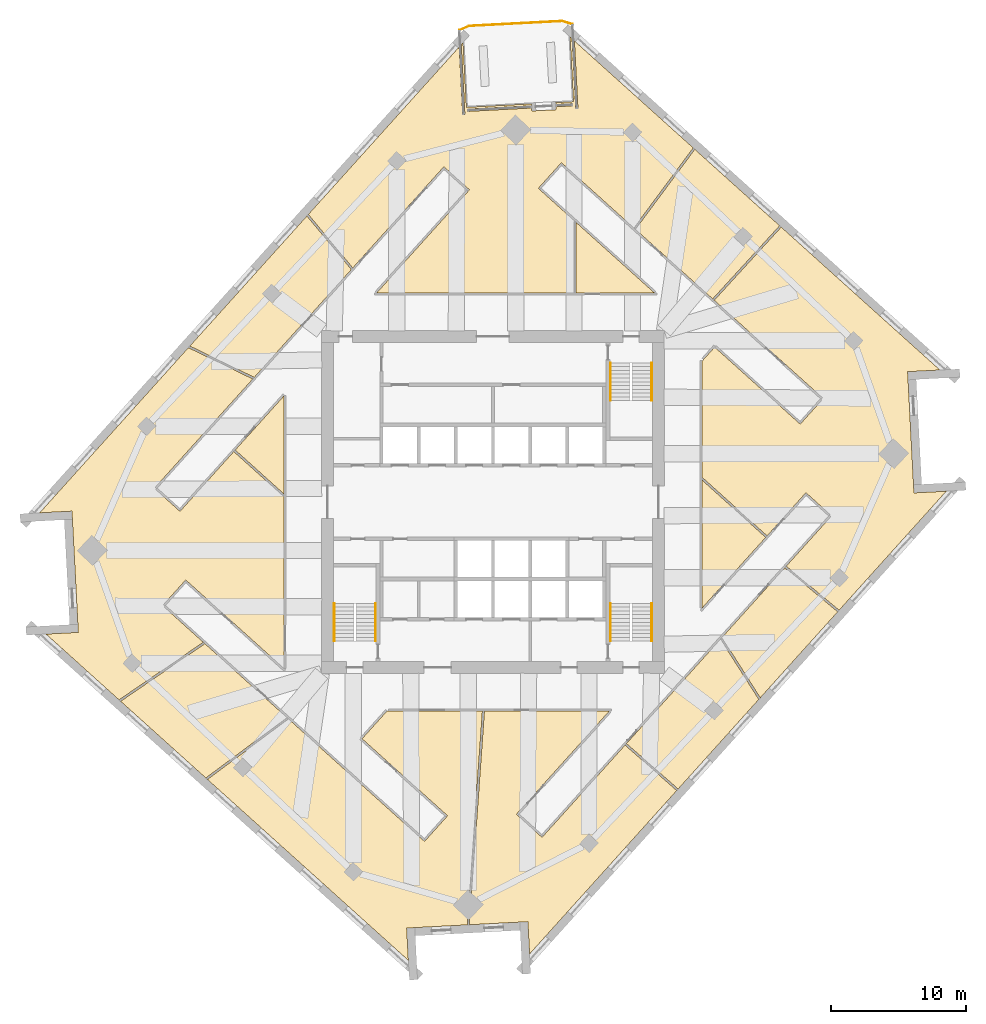
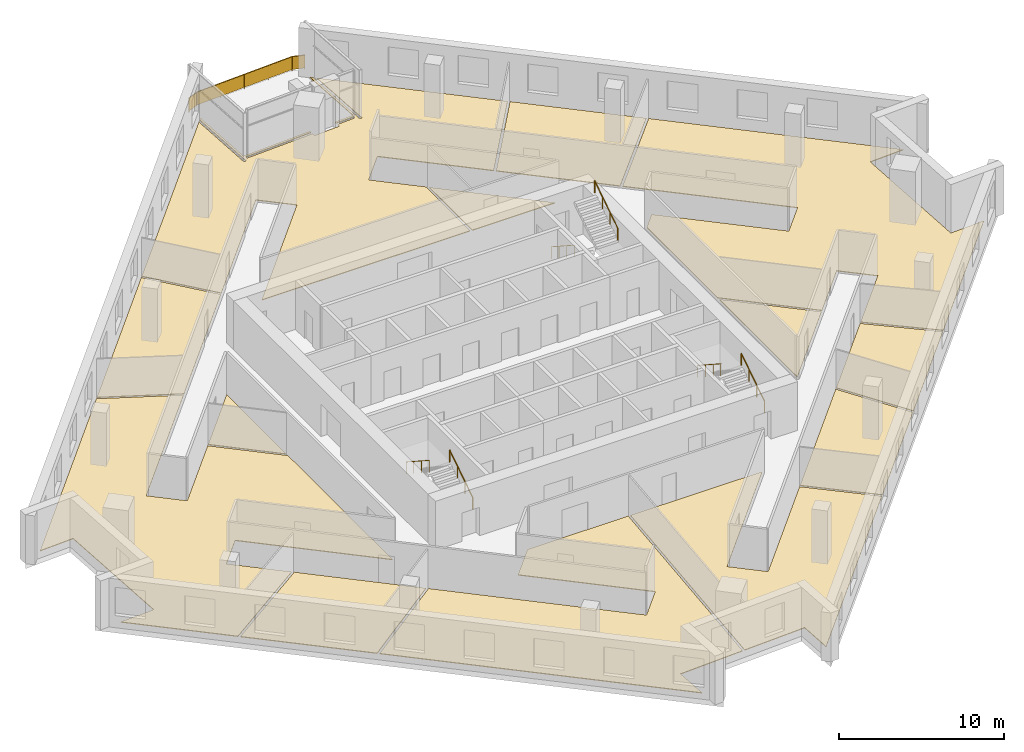
# One storey, part 11 of 12: 13 coverings, 7 railings.
"""IFC4 building model written with IfcOpenShell, lengths in metres."""

from ifc_helpers import new_model, si_unit, direction, frame, origin, origin_2d, place, context, subcontext, project, spatial, polyline, rectangle, circle, outline, extrude, material, layer, layer_set, type_object, element, save


model = new_model("IFC4")

# Units and contexts
model_context = context("Model", 3, precision=1e-05, world=origin(), true_north=direction((0.0, 1.0)))
body_context = subcontext(model_context, "Body", "Model", "MODEL_VIEW")
ifc_project = project(units=[si_unit("LENGTHUNIT", "METRE"), si_unit("AREAUNIT", "SQUARE_METRE"), si_unit("VOLUMEUNIT", "CUBIC_METRE"), si_unit("PLANEANGLEUNIT", "RADIAN"), si_unit("MASSUNIT", "GRAM", prefix="KILO")], contexts=[model_context])

# Site, building, storey
site_placement = place(None, origin())
site = spatial("IfcSite", under=ifc_project, at=site_placement, CompositionType="ELEMENT")
building_placement = place(site_placement, origin())
building = spatial("IfcBuilding", under=site, at=building_placement, Name="Dilmun Exchange Tower", CompositionType="ELEMENT")
storey_placement = place(building_placement, frame((0.0, 0.0, 221.300048828125)))
storey = spatial("IfcBuildingStorey", under=building, at=storey_placement, Name="L52", CompositionType="ELEMENT", Elevation=221.300048828125)

# Coverings
ifc_material_1 = material(Name="Carpet floor finish 50")
ifc_layer_1 = layer(ifc_material_1, 0.050048828125)
ifc_layer_set_1 = layer_set([ifc_layer_1], Name="Carpet floor finish 50")
covering_type_1 = type_object("IfcCoveringType", Name="Carpet floor finish 50", PredefinedType="FLOORING", material=ifc_layer_set_1)
covering_1_placement = place(storey_placement, origin())
element("IfcCovering", 1, at=covering_1_placement, inside=storey, type_object=covering_type_1, Name="Carpet floor finish 50 Co-working hall 1", PredefinedType="FLOORING", context=body_context, shape_type="SweptSolid", body=[
    extrude(outline(polyline([(-22.740234375, -5.768798828125), (-24.446533203125, -7.663818359375), (-21.433837890625, -10.37646484375), (-27.672607421875, -14.642578125), (-33.08251953125, -9.771484375), (-30.692626953125, -9.646240234375), (-30.6923828125, -9.646240234375), (-30.692138671875, -9.64599609375), (-30.69189453125, -9.64599609375), (-30.69189453125, -9.64599609375), (-30.691650390625, -9.64599609375), (-30.69140625, -9.645751953125), (-30.69140625, -9.645751953125), (-30.691162109375, -9.6455078125), (-30.691162109375, -9.6455078125), (-30.69091796875, -9.645263671875), (-30.69091796875, -9.64501953125), (-30.69091796875, -9.64501953125), (-30.69091796875, -9.644775390625), (-30.690673828125, -9.64453125), (-30.690673828125, -9.644287109375), (-30.690673828125, -9.64404296875), (-30.72216796875, -9.044921875), (-30.72216796875, -9.044677734375), (-30.72216796875, -9.044677734375), (-31.129150390625, -1.277587890625), (-31.129150390625, -1.277587890625), (-31.129150390625, -1.27734375), (-31.160400390625, -0.67822265625), (-31.160400390625, -0.677978515625), (-31.16064453125, -0.677734375), (-31.16064453125, -0.677490234375), (-31.16064453125, -0.677490234375), (-31.160888671875, -0.67724609375), (-31.160888671875, -0.677001953125), (-31.160888671875, -0.677001953125), (-31.1611328125, -0.6767578125), (-31.161376953125, -0.6767578125), (-31.16162109375, -0.676513671875), (-31.16162109375, -0.676513671875), (-31.161865234375, -0.676513671875), (-31.162109375, -0.676513671875), (-31.162109375, -0.67626953125), (-31.162353515625, -0.67626953125), (-31.16259765625, -0.67626953125), (-33.552490234375, -0.801513671875), (-22.541015625, 11.427734375), (-17.772216796875, 9.110107421875), (-25.058349609375, 1.01806640625), (-23.163330078125, -0.688232421875), (-19.1796875, 3.736083984375), (-15.47509765625, 0.400390625), (-15.47509765625, -12.310302734375), (-22.740234375, -5.768798828125)])), origin(), (0.0, 0.0, 1.0), 0.050048828125),
])
covering_2_placement = place(storey_placement, origin())
element("IfcCovering", 2, at=covering_2_placement, inside=storey, type_object=covering_type_1, Name="Carpet floor finish 50 Serviced office", PredefinedType="FLOORING", context=body_context, shape_type="SweptSolid", body=[
    extrude(outline(polyline([(-21.319091796875, -10.479736328125), (-15.240478515625, -15.952880859375), (-21.25, -20.42529296875), (-27.557861328125, -14.74560546875), (-21.319091796875, -10.479736328125)])), origin(), (0.0, 0.0, 1.0), 0.050048828125),
])
covering_3_placement = place(storey_placement, origin())
element("IfcCovering", 3, at=covering_3_placement, inside=storey, type_object=covering_type_1, Name="Carpet floor finish 50 Club dining room", PredefinedType="FLOORING", context=body_context, shape_type="SweptSolid", body=[
    extrude(outline(polyline([(-15.126953125, -16.055419921875), (-5.06640625, -25.11376953125), (-3.360107421875, -23.21875), (-9.68994140625, -17.519287109375), (-7.849365234375, -15.47509765625), (-0.78125, -15.47509765625), (-1.901611328125, -31.295654296875), (-5.78369140625, -31.499267578125), (-5.78369140625, -31.499267578125), (-5.783935546875, -31.499267578125), (-6.38330078125, -31.530517578125), (-6.38330078125, -31.530517578125), (-6.383544921875, -31.53076171875), (-6.3837890625, -31.53076171875), (-6.3837890625, -31.53076171875), (-6.384033203125, -31.531005859375), (-6.38427734375, -31.531005859375), (-6.384521484375, -31.531005859375), (-6.384521484375, -31.53125), (-6.384765625, -31.531494140625), (-6.384765625, -31.531494140625), (-6.385009765625, -31.53173828125), (-6.385009765625, -31.531982421875), (-6.385009765625, -31.531982421875), (-6.385009765625, -31.5322265625), (-6.385009765625, -31.532470703125), (-6.385009765625, -31.53271484375), (-6.259765625, -33.922607421875), (-21.13623046875, -20.52783203125), (-15.126953125, -16.055419921875)])), origin(), (0.0, 0.0, 1.0), 0.050048828125),
])
covering_4_placement = place(storey_placement, origin())
element("IfcCovering", 4, at=covering_4_placement, inside=storey, type_object=covering_type_1, Name="Carpet floor finish 50 Garden lounge", PredefinedType="FLOORING", context=body_context, shape_type="SweptSolid", body=[
    extrude(outline(polyline([(-1.73681640625, 23.1083984375), (-3.6318359375, 24.814697265625), (-10.3759765625, 17.32470703125), (-13.666748046875, 21.283935546875), (-2.501708984375, 33.68359375), (-2.239501953125, 28.677490234375), (-2.239501953125, 28.67724609375), (-2.239501953125, 28.677001953125), (-2.239501953125, 28.6767578125), (-2.2392578125, 28.6767578125), (-2.2392578125, 28.676513671875), (-2.239013671875, 28.67626953125), (-2.239013671875, 28.67626953125), (-2.23876953125, 28.676025390625), (-2.23876953125, 28.67578125), (-2.238525390625, 28.67578125), (-2.23828125, 28.67578125), (-2.23828125, 28.675537109375), (-2.238037109375, 28.675537109375), (-2.23779296875, 28.675537109375), (-2.237548828125, 28.675537109375), (-2.2373046875, 28.675537109375), (-2.07763671875, 28.683837890625), (-2.077392578125, 28.683837890625), (-2.0771484375, 28.683837890625), (-2.076904296875, 28.68408203125), (-2.076904296875, 28.68408203125), (-2.07666015625, 28.68408203125), (-2.076416015625, 28.684326171875), (-2.076416015625, 28.684326171875), (-2.076171875, 28.6845703125), (-2.076171875, 28.684814453125), (-2.075927734375, 28.684814453125), (-2.075927734375, 28.68505859375), (-2.07568359375, 28.685302734375), (-2.07568359375, 28.685302734375), (-2.07568359375, 28.685546875), (-2.07568359375, 28.685791015625), (-2.07568359375, 28.68603515625), (-2.3466796875, 33.856201171875), (-2.211181640625, 34.00634765625), (-1.96044921875, 29.2177734375), (2.84521484375, 29.469482421875), (2.8525390625, 29.326904296875), (-1.8779296875, 29.078857421875), (-1.878173828125, 29.078857421875), (-1.87841796875, 29.078857421875), (-1.878662109375, 29.078857421875), (-1.878662109375, 29.07861328125), (-1.87890625, 29.07861328125), (-1.879150390625, 29.07861328125), (-1.879150390625, 29.078369140625), (-1.87939453125, 29.078125), (-1.87939453125, 29.078125), (-1.879638671875, 29.077880859375), (-1.879638671875, 29.07763671875), (-1.8798828125, 29.07763671875), (-1.8798828125, 29.077392578125), (-1.8798828125, 29.0771484375), (-1.8798828125, 29.076904296875), (-1.8798828125, 29.076904296875), (-1.87158203125, 28.9169921875), (-1.87158203125, 28.916748046875), (-1.87158203125, 28.91650390625), (-1.871337890625, 28.91650390625), (-1.871337890625, 28.916259765625), (-1.87109375, 28.916015625), (-1.87109375, 28.916015625), (-1.87109375, 28.915771484375), (-1.870849609375, 28.91552734375), (-1.87060546875, 28.91552734375), (-1.87060546875, 28.915283203125), (-1.870361328125, 28.915283203125), (-1.8701171875, 28.915283203125), (-1.8701171875, 28.915283203125), (-1.869873046875, 28.9150390625), (-1.86962890625, 28.9150390625), (-1.869384765625, 28.9150390625), (2.861083984375, 29.1630859375), (2.87255859375, 28.9453125), (2.87255859375, 28.945068359375), (2.872802734375, 28.94482421875), (2.872802734375, 28.944580078125), (2.872802734375, 28.944580078125), (2.872802734375, 28.9443359375), (2.873046875, 28.944091796875), (2.873046875, 28.944091796875), (2.873291015625, 28.94384765625), (2.873291015625, 28.94384765625), (2.87353515625, 28.943603515625), (2.873779296875, 28.943603515625), (2.873779296875, 28.943603515625), (2.8740234375, 28.943603515625), (2.874267578125, 28.943359375), (2.87451171875, 28.943359375), (2.874755859375, 28.943359375), (4.672119140625, 29.03759765625), (4.67236328125, 29.03759765625), (4.672607421875, 29.03759765625), (4.6728515625, 29.03759765625), (4.673095703125, 29.037841796875), (4.673095703125, 29.037841796875), (4.67333984375, 29.0380859375), (4.67333984375, 29.0380859375), (4.673583984375, 29.038330078125), (4.673583984375, 29.038330078125), (4.673828125, 29.03857421875), (4.673828125, 29.038818359375), (4.674072265625, 29.038818359375), (4.674072265625, 29.0390625), (4.674072265625, 29.039306640625), (4.674072265625, 29.03955078125), (4.674072265625, 29.039794921875), (4.66259765625, 29.25732421875), (5.898193359375, 29.322265625), (5.898193359375, 29.322265625), (5.8984375, 29.322265625), (5.898681640625, 29.322265625), (5.89892578125, 29.322509765625), (5.89892578125, 29.322509765625), (5.899169921875, 29.322509765625), (5.8994140625, 29.32275390625), (5.8994140625, 29.322998046875), (5.899658203125, 29.322998046875), (5.899658203125, 29.3232421875), (5.89990234375, 29.323486328125), (5.89990234375, 29.323486328125), (5.89990234375, 29.32373046875), (5.89990234375, 29.323974609375), (5.89990234375, 29.32421875), (5.89990234375, 29.32421875), (5.8916015625, 29.484130859375), (5.8916015625, 29.484375), (5.8916015625, 29.484619140625), (5.8916015625, 29.484619140625), (5.891357421875, 29.48486328125), (5.891357421875, 29.485107421875), (5.89111328125, 29.485107421875), (5.89111328125, 29.4853515625), (5.890869140625, 29.485595703125), (5.890869140625, 29.485595703125), (5.890625, 29.485595703125), (5.890380859375, 29.48583984375), (5.890380859375, 29.48583984375), (5.89013671875, 29.48583984375), (5.889892578125, 29.486083984375), (5.8896484375, 29.486083984375), (5.889404296875, 29.486083984375), (4.654052734375, 29.421142578125), (4.646484375, 29.56396484375), (5.956787109375, 29.6328125), (5.7060546875, 34.421142578125), (5.856201171875, 34.285888671875), (6.127197265625, 29.115966796875), (6.127197265625, 29.11572265625), (6.127197265625, 29.115478515625), (6.127197265625, 29.115234375), (6.12744140625, 29.115234375), (6.12744140625, 29.114990234375), (6.127685546875, 29.11474609375), (6.127685546875, 29.11474609375), (6.1279296875, 29.114501953125), (6.1279296875, 29.114501953125), (6.128173828125, 29.1142578125), (6.12841796875, 29.1142578125), (6.12841796875, 29.114013671875), (6.128662109375, 29.114013671875), (6.12890625, 29.114013671875), (6.129150390625, 29.114013671875), (6.12939453125, 29.114013671875), (6.2890625, 29.122314453125), (6.289306640625, 29.122314453125), (6.28955078125, 29.122314453125), (6.289794921875, 29.12255859375), (6.289794921875, 29.12255859375), (6.2900390625, 29.122802734375), (6.290283203125, 29.122802734375), (6.290283203125, 29.122802734375), (6.29052734375, 29.123046875), (6.29052734375, 29.123291015625), (6.290771484375, 29.123291015625), (6.290771484375, 29.12353515625), (6.291015625, 29.123779296875), (6.291015625, 29.123779296875), (6.291015625, 29.1240234375), (6.291015625, 29.124267578125), (6.291015625, 29.12451171875), (6.028564453125, 34.130615234375), (14.826416015625, 26.209228515625), (10.4296875, 20.28466796875), (5.06640625, 25.11376953125), (3.360107421875, 23.21875), (6.0009765625, 20.8408203125), (6.0009765625, 15.47509765625), (-8.60986328125, 15.47509765625), (-1.73681640625, 23.1083984375)])), origin(), (0.0, 0.0, 1.0), 0.050048828125),
])
covering_5_placement = place(storey_placement, origin())
element("IfcCovering", 5, at=covering_5_placement, inside=storey, type_object=covering_type_1, Name="Carpet floor finish 50 Members library", PredefinedType="FLOORING", context=body_context, shape_type="SweptSolid", body=[
    extrude(outline(polyline([(-0.630859375, -15.47509765625), (8.60986328125, -15.47509765625), (1.73681640625, -23.1083984375), (3.6318359375, -24.814697265625), (9.7783203125, -17.98828125), (13.60546875, -21.35205078125), (2.7099609375, -33.452392578125), (2.584716796875, -31.0625), (2.584716796875, -31.0625), (2.584716796875, -31.062255859375), (2.584716796875, -31.06201171875), (2.584716796875, -31.061767578125), (2.58447265625, -31.061767578125), (2.58447265625, -31.0615234375), (2.584228515625, -31.061279296875), (2.583984375, -31.061279296875), (2.583984375, -31.06103515625), (2.583740234375, -31.06103515625), (2.58349609375, -31.060791015625), (2.58349609375, -31.060791015625), (2.583251953125, -31.060791015625), (2.5830078125, -31.060791015625), (2.5830078125, -31.060791015625), (2.582763671875, -31.060791015625), (1.9833984375, -31.092041015625), (1.9833984375, -31.092041015625), (1.9833984375, -31.092041015625), (-1.750732421875, -31.287841796875), (-0.630859375, -15.47509765625)])), origin(), (0.0, 0.0, 1.0), 0.050048828125),
])
covering_6_placement = place(storey_placement, origin())
element("IfcCovering", 6, at=covering_6_placement, inside=storey, type_object=covering_type_1, Name="Carpet floor finish 50 Meeting room 1", PredefinedType="FLOORING", context=body_context, shape_type="SweptSolid", body=[
    extrude(outline(polyline([(16.262451171875, 15.03271484375), (10.541748046875, 20.183837890625), (14.938232421875, 26.1083984375), (21.221923828125, 20.45068359375), (16.262451171875, 15.03271484375)])), origin(), (0.0, 0.0, 1.0), 0.050048828125),
])
covering_7_placement = place(storey_placement, origin())
element("IfcCovering", 7, at=covering_7_placement, inside=storey, type_object=covering_type_1, Name="Carpet floor finish 50 Meeting room 2", PredefinedType="FLOORING", context=body_context, shape_type="SweptSolid", body=[
    extrude(outline(polyline([(15.47509765625, 1.6298828125), (20.189208984375, -2.614990234375), (15.47509765625, -7.8505859375), (15.47509765625, 1.6298828125)])), origin(), (0.0, 0.0, 1.0), 0.050048828125),
])
covering_8_placement = place(storey_placement, origin())
element("IfcCovering", 8, at=covering_8_placement, inside=storey, type_object=covering_type_1, Name="Carpet floor finish 50 Meeting room 3", PredefinedType="FLOORING", context=body_context, shape_type="SweptSolid", body=[
    extrude(outline(polyline([(16.947021484375, -10.026611328125), (21.603515625, -4.855224609375), (25.517822265625, -8.12158203125), (19.783203125, -14.49072265625), (16.947021484375, -10.026611328125)])), origin(), (0.0, 0.0, 1.0), 0.050048828125),
])
covering_9_placement = place(storey_placement, origin())
element("IfcCovering", 9, at=covering_9_placement, inside=storey, type_object=covering_type_1, Name="Carpet floor finish 50 Co-working hall 2", PredefinedType="FLOORING", context=body_context, shape_type="SweptSolid", body=[
    extrude(outline(polyline([(21.703857421875, -4.74365234375), (25.058349609375, -1.01806640625), (23.163330078125, 0.688232421875), (20.28955078125, -2.50341796875), (15.47509765625, 1.831787109375), (15.47509765625, 10.42919921875), (16.410400390625, 11.468017578125), (22.740234375, 5.768798828125), (24.446533203125, 7.663818359375), (16.3740234375, 14.932373046875), (21.33349609375, 20.350341796875), (33.08251953125, 9.771484375), (30.692626953125, 9.646240234375), (30.6923828125, 9.646240234375), (30.692138671875, 9.64599609375), (30.69189453125, 9.64599609375), (30.69189453125, 9.64599609375), (30.691650390625, 9.64599609375), (30.69140625, 9.645751953125), (30.69140625, 9.645751953125), (30.691162109375, 9.6455078125), (30.691162109375, 9.6455078125), (30.69091796875, 9.645263671875), (30.69091796875, 9.64501953125), (30.69091796875, 9.64501953125), (30.69091796875, 9.644775390625), (30.690673828125, 9.64453125), (30.690673828125, 9.644287109375), (30.690673828125, 9.64404296875), (30.72216796875, 9.044921875), (30.72216796875, 9.044677734375), (30.72216796875, 9.044677734375), (31.129150390625, 1.277587890625), (31.129150390625, 1.277587890625), (31.129150390625, 1.27734375), (31.160400390625, 0.67822265625), (31.160400390625, 0.677978515625), (31.16064453125, 0.677734375), (31.16064453125, 0.677490234375), (31.16064453125, 0.677490234375), (31.160888671875, 0.67724609375), (31.160888671875, 0.677001953125), (31.160888671875, 0.677001953125), (31.1611328125, 0.6767578125), (31.161376953125, 0.6767578125), (31.16162109375, 0.676513671875), (31.16162109375, 0.676513671875), (31.161865234375, 0.676513671875), (31.162109375, 0.676513671875), (31.162109375, 0.67626953125), (31.162353515625, 0.67626953125), (31.16259765625, 0.67626953125), (33.552490234375, 0.801513671875), (25.618408203125, -8.01025390625), (21.703857421875, -4.74365234375)])), origin(), (0.0, 0.0, 1.0), 0.050048828125),
])

# Railings
ifc_material_2 = material(Name="Stainless steel", Category="steel")
railing_type_1 = type_object("IfcRailingType", Name="Stair handrail 900", PredefinedType="HANDRAIL", material=ifc_material_2)
railing_1_placement = place(storey_placement, frame((8.699951171875, 10.300048828125, 0.181884765625)))
element("IfcRailing", 10, at=railing_1_placement, inside=storey, type_object=railing_type_1, Name="L52 ST1 stair handrail 1", PredefinedType="HANDRAIL", context=body_context, shape_type="SweptSolid", body=[
    extrude(circle(Radius=0.02392578125, at=origin_2d()), frame((0.0, 0.0, 0.8759765625), z_axis=(0.0, -0.838705829183, 0.544584733623), x_axis=(1.0, 0.0, 0.0)), (0.0, 0.0, 1.0), 3.338623046875),
    extrude(circle(Radius=0.02099609375, at=origin_2d()), origin(), (0.0, 0.0, 1.0), 0.851806640625),
    extrude(circle(Radius=0.02099609375, at=origin_2d()), frame((0.0, -0.933349609375, 0.60595703125)), (0.0, 0.0, 1.0), 0.851806640625),
    extrude(circle(Radius=0.02099609375, at=origin_2d()), frame((0.0, -1.86669921875, 1.212158203125)), (0.0, 0.0, 1.0), 0.851806640625),
    extrude(circle(Radius=0.02099609375, at=origin_2d()), frame((0.0, -2.800048828125, 1.818115234375)), (0.0, 0.0, 1.0), 0.851806640625),
])
for number, where, name in (
    (11, (11.75, 7.5, 2.181884765625), "L52 ST1 stair handrail 2"),
    (12, (-8.699951171875, -10.300048828125, 0.181884765625), "L52 ST2 stair handrail 1"),
):
    element("IfcRailing", number, at=place(storey_placement, frame(where)), inside=storey, type_object=railing_type_1, Name=name, PredefinedType="HANDRAIL", context=body_context, shape_type="SweptSolid", body=[
        extrude(circle(Radius=0.02392578125, at=origin_2d()), frame((0.0, 0.0, 0.8759765625), z_axis=(0.0, 0.838705829183, 0.544584733623), x_axis=(-1.0, 0.0, 0.0)), (0.0, 0.0, 1.0), 3.338623046875),
        extrude(circle(Radius=0.02099609375, at=origin_2d()), origin(), (0.0, 0.0, 1.0), 0.851806640625),
        extrude(circle(Radius=0.02099609375, at=origin_2d()), frame((0.0, 0.933349609375, 0.60595703125)), (0.0, 0.0, 1.0), 0.851806640625),
        extrude(circle(Radius=0.02099609375, at=origin_2d()), frame((0.0, 1.86669921875, 1.212158203125)), (0.0, 0.0, 1.0), 0.851806640625),
        extrude(circle(Radius=0.02099609375, at=origin_2d()), frame((0.0, 2.800048828125, 1.818115234375)), (0.0, 0.0, 1.0), 0.851806640625),
    ])
railing_2_placement = place(storey_placement, frame((-11.75, -7.5, 2.181884765625)))
element("IfcRailing", 13, at=railing_2_placement, inside=storey, type_object=railing_type_1, Name="L52 ST2 stair handrail 2", PredefinedType="HANDRAIL", context=body_context, shape_type="SweptSolid", body=[
    extrude(circle(Radius=0.02392578125, at=origin_2d()), frame((0.0, 0.0, 0.8759765625), z_axis=(0.0, -0.838705829183, 0.544584733623), x_axis=(1.0, 0.0, 0.0)), (0.0, 0.0, 1.0), 3.338623046875),
    extrude(circle(Radius=0.02099609375, at=origin_2d()), origin(), (0.0, 0.0, 1.0), 0.851806640625),
    extrude(circle(Radius=0.02099609375, at=origin_2d()), frame((0.0, -0.933349609375, 0.60595703125)), (0.0, 0.0, 1.0), 0.851806640625),
    extrude(circle(Radius=0.02099609375, at=origin_2d()), frame((0.0, -1.86669921875, 1.212158203125)), (0.0, 0.0, 1.0), 0.851806640625),
    extrude(circle(Radius=0.02099609375, at=origin_2d()), frame((0.0, -2.800048828125, 1.818115234375)), (0.0, 0.0, 1.0), 0.851806640625),
])
railing_3_placement = place(storey_placement, frame((11.75, -10.300048828125, 0.181884765625)))
element("IfcRailing", 14, at=railing_3_placement, inside=storey, type_object=railing_type_1, Name="L52 ST3 stair handrail 1", PredefinedType="HANDRAIL", context=body_context, shape_type="SweptSolid", body=[
    extrude(circle(Radius=0.02392578125, at=origin_2d()), frame((0.0, 0.0, 0.8759765625), z_axis=(0.0, 0.838705829183, 0.544584733623), x_axis=(-1.0, 0.0, 0.0)), (0.0, 0.0, 1.0), 3.338623046875),
    extrude(circle(Radius=0.02099609375, at=origin_2d()), origin(), (0.0, 0.0, 1.0), 0.851806640625),
    extrude(circle(Radius=0.02099609375, at=origin_2d()), frame((0.0, 0.933349609375, 0.60595703125)), (0.0, 0.0, 1.0), 0.851806640625),
    extrude(circle(Radius=0.02099609375, at=origin_2d()), frame((0.0, 1.86669921875, 1.212158203125)), (0.0, 0.0, 1.0), 0.851806640625),
    extrude(circle(Radius=0.02099609375, at=origin_2d()), frame((0.0, 2.800048828125, 1.818115234375)), (0.0, 0.0, 1.0), 0.851806640625),
])
railing_4_placement = place(storey_placement, frame((8.699951171875, -7.5, 2.181884765625)))
element("IfcRailing", 15, at=railing_4_placement, inside=storey, type_object=railing_type_1, Name="L52 ST3 stair handrail 2", PredefinedType="HANDRAIL", context=body_context, shape_type="SweptSolid", body=[
    extrude(circle(Radius=0.02392578125, at=origin_2d()), frame((0.0, 0.0, 0.8759765625), z_axis=(0.0, -0.838705829183, 0.544584733623), x_axis=(1.0, 0.0, 0.0)), (0.0, 0.0, 1.0), 3.338623046875),
    extrude(circle(Radius=0.02099609375, at=origin_2d()), origin(), (0.0, 0.0, 1.0), 0.851806640625),
    extrude(circle(Radius=0.02099609375, at=origin_2d()), frame((0.0, -0.933349609375, 0.60595703125)), (0.0, 0.0, 1.0), 0.851806640625),
    extrude(circle(Radius=0.02099609375, at=origin_2d()), frame((0.0, -1.86669921875, 1.212158203125)), (0.0, 0.0, 1.0), 0.851806640625),
    extrude(circle(Radius=0.02099609375, at=origin_2d()), frame((0.0, -2.800048828125, 1.818115234375)), (0.0, 0.0, 1.0), 0.851806640625),
])

# Covering
ifc_material_3 = material(Name="Stone floor finish 50", Category="masonry")
ifc_layer_2 = layer(ifc_material_3, 0.050048828125)
ifc_layer_set_2 = layer_set([ifc_layer_2], Name="Stone floor finish 50")
covering_type_2 = type_object("IfcCoveringType", Name="Stone floor finish 50", PredefinedType="FLOORING", material=ifc_layer_set_2)
covering_10_placement = place(storey_placement, origin())
element("IfcCovering", 16, at=covering_10_placement, inside=storey, type_object=covering_type_2, Name="Stone floor finish 50 Reception", PredefinedType="FLOORING", context=body_context, shape_type="SweptSolid", body=[
    extrude(outline(polyline([(-10.477294921875, 17.2119140625), (-17.667724609375, 9.226318359375), (-22.436767578125, 11.543701171875), (-13.76806640625, 21.17138671875), (-10.477294921875, 17.2119140625)])), origin(), (0.0, 0.0, 1.0), 0.050048828125),
])

# Railing
railing_type_2 = type_object("IfcRailingType", Name="Terrace guard 1100 stainless steel", PredefinedType="GUARDRAIL", material=ifc_material_2)
railing_5_placement = place(storey_placement, frame((-2.484619140625, 34.919677734375, 0.0)))
element("IfcRailing", 17, at=railing_5_placement, inside=storey, type_object=railing_type_2, Name="Terrace guard 1", PredefinedType="GUARDRAIL", context=body_context, shape_type="SweptSolid", body=[
    extrude(circle(Radius=0.02392578125, at=origin_2d()), frame((0.0, 0.0, 1.076171875), z_axis=(0.918476159103, 0.395476352213, 0.0), x_axis=(-0.395476352213, 0.918476159103, 0.0)), (0.0, 0.0, 1.0), 0.79443359375),
    extrude(rectangle(XDim=0.011962890625, YDim=0.951904296875, at=origin_2d()), frame((0.0, 0.0, 0.576171875), z_axis=(0.918476159103, 0.395476352213, 0.0), x_axis=(-0.395476352213, 0.918476159103, 0.0)), (0.0, 0.0, 1.0), 0.79443359375),
    extrude(circle(Radius=0.02392578125, at=origin_2d()), frame((0.729736328125, 0.314208984375, 1.076171875), z_axis=(0.998628773631, 0.052350477326, 0.0), x_axis=(-0.052350477326, 0.998628773631, 0.0)), (0.0, 0.0, 1.0), 6.88818359375),
    extrude(rectangle(XDim=0.011962890625, YDim=0.951904296875, at=origin_2d()), frame((0.729736328125, 0.314208984375, 0.576171875), z_axis=(0.998628773631, 0.052350477326, 0.0), x_axis=(-0.052350477326, 0.998628773631, 0.0)), (0.0, 0.0, 1.0), 6.88818359375),
    extrude(circle(Radius=0.02392578125, at=origin_2d()), frame((7.6083984375, 0.6748046875, 1.076171875), z_axis=(0.954709406475, -0.297539827903, 0.0), x_axis=(0.297539827903, 0.954709406475, 0.0)), (0.0, 0.0, 1.0), 0.794189453125),
    extrude(rectangle(XDim=0.011962890625, YDim=0.951904296875, at=origin_2d()), frame((7.6083984375, 0.6748046875, 0.576171875), z_axis=(0.954709406475, -0.297539827903, 0.0), x_axis=(0.297539827903, 0.954709406475, 0.0)), (0.0, 0.0, 1.0), 0.794189453125),
    extrude(circle(Radius=0.02099609375, at=origin_2d()), origin(), (0.0, 0.0, 1.0), 1.052001953125),
    extrude(circle(Radius=0.02099609375, at=origin_2d()), frame((0.729736328125, 0.314208984375, 0.0)), (0.0, 0.0, 1.0), 1.052001953125),
    extrude(circle(Radius=0.02099609375, at=origin_2d()), frame((2.449462890625, 0.404296875, 0.0)), (0.0, 0.0, 1.0), 1.052001953125),
    extrude(circle(Radius=0.02099609375, at=origin_2d()), frame((4.1689453125, 0.49462890625, 0.0)), (0.0, 0.0, 1.0), 1.052001953125),
    extrude(circle(Radius=0.02099609375, at=origin_2d()), frame((5.888671875, 0.584716796875, 0.0)), (0.0, 0.0, 1.0), 1.052001953125),
    extrude(circle(Radius=0.02099609375, at=origin_2d()), frame((7.6083984375, 0.6748046875, 0.0)), (0.0, 0.0, 1.0), 1.052001953125),
    extrude(circle(Radius=0.02099609375, at=origin_2d()), frame((8.36669921875, 0.4384765625, 0.0)), (0.0, 0.0, 1.0), 1.052001953125),
])

# Coverings
ifc_material_4 = material(Name="Tile floor finish 50")
ifc_layer_3 = layer(ifc_material_4, 0.050048828125)
ifc_layer_set_3 = layer_set([ifc_layer_3], Name="Tile floor finish 50")
covering_type_3 = type_object("IfcCoveringType", Name="Tile floor finish 50", PredefinedType="FLOORING", material=ifc_layer_set_3)
covering_11_placement = place(storey_placement, origin())
element("IfcCovering", 18, at=covering_11_placement, inside=storey, type_object=covering_type_3, Name="Tile floor finish 50 Pantry 1", PredefinedType="FLOORING", context=body_context, shape_type="SweptSolid", body=[
    extrude(outline(polyline([(-15.47509765625, 7.849365234375), (-15.47509765625, 0.602294921875), (-19.0791015625, 3.84765625), (-15.4755859375, 7.849853515625), (-15.47509765625, 7.849365234375)])), origin(), (0.0, 0.0, 1.0), 0.050048828125),
])
covering_12_placement = place(storey_placement, origin())
element("IfcCovering", 19, at=covering_12_placement, inside=storey, type_object=covering_type_3, Name="Tile floor finish 50 Pantry 2", PredefinedType="FLOORING", context=body_context, shape_type="SweptSolid", body=[
    extrude(outline(polyline([(6.15087890625, 15.47509765625), (6.15087890625, 20.705810546875), (11.96044921875, 15.47509765625), (6.15087890625, 15.47509765625)])), origin(), (0.0, 0.0, 1.0), 0.050048828125),
])
covering_13_placement = place(storey_placement, origin())
element("IfcCovering", 20, at=covering_13_placement, inside=storey, type_object=covering_type_3, Name="Tile floor finish 50 Pantry 3", PredefinedType="FLOORING", context=body_context, shape_type="SweptSolid", body=[
    extrude(outline(polyline([(9.878662109375, -17.876708984375), (16.8427734375, -10.142578125), (19.67919921875, -14.6064453125), (13.705810546875, -21.240478515625), (9.878662109375, -17.876708984375)])), origin(), (0.0, 0.0, 1.0), 0.050048828125),
])

save(model, "model.ifc")
